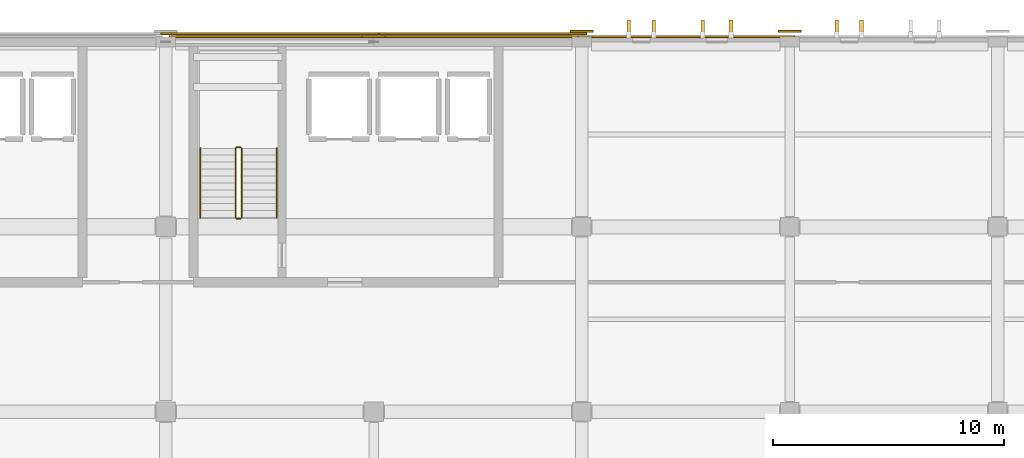
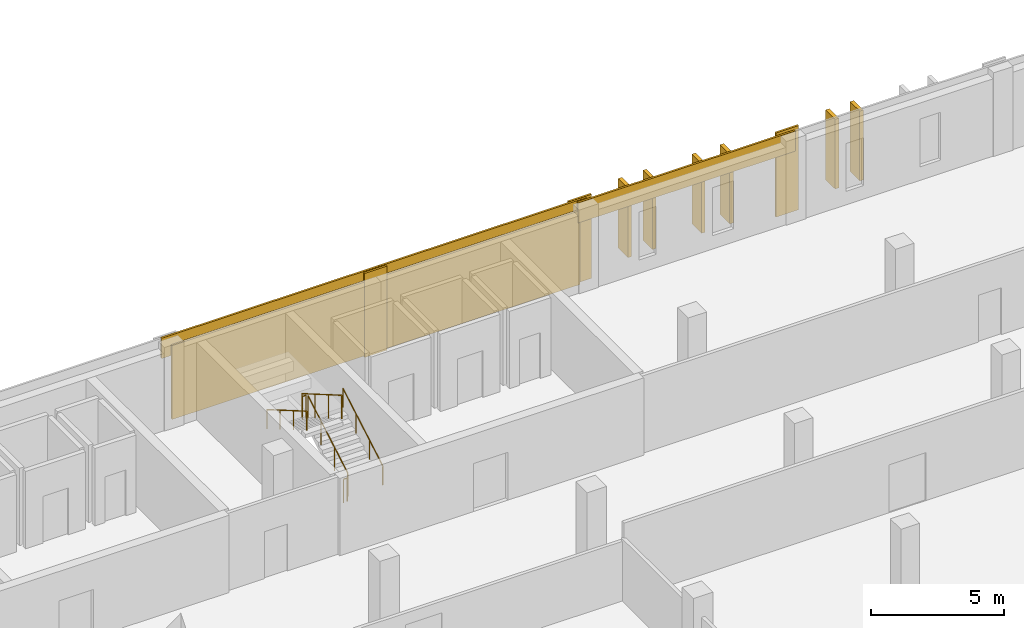
# One storey, part 82 of 85: 8 coverings, 6 railings, 6 shading devices.
"""IFC4 building model written with IfcOpenShell, lengths in metres."""

import ifcopenshell
import ifcopenshell.guid

model = None  # the IFC model being written
_history = None  # IfcOwnerHistory: only IFC2X3 demands one
_inside = {}  # id of a spatial element -> (the spatial element, [elements in it])
_under = {}  # id of a project, library or spatial element -> (it, [spatial elements below it])
_declared = {}  # id of a project -> (the project, [libraries it declares])
_typed = {}  # id of a type object -> (the type object, [elements of that type])
_made_of = {}  # id of a material, layer set ... -> (it, [elements and type objects made of it])


def new_model(schema):
    """Start an empty IFC model of exactly this schema.

    Asked for "IFC4X3", IfcOpenShell would pick the latest addendum, in which some entities
    have other attributes; the version numbers below select the first issue.
    IFC2X3 requires an IfcOwnerHistory on every rooted entity: one is made here for all.
    """
    global model, _history
    if schema == "IFC4X3":
        model = ifcopenshell.file(schema_version=(4, 3, 0, 0))
    else:
        model = ifcopenshell.file(schema=schema)
    _inside.clear()
    _under.clear()
    _declared.clear()
    _typed.clear()
    _made_of.clear()
    _history = None
    if model.schema == "IFC2X3":
        org = make("IfcOrganization", Name="unknown")
        user = make(
            "IfcPersonAndOrganization",
            ThePerson=make("IfcPerson", FamilyName="unknown"),
            TheOrganization=org,
        )
        app = make(
            "IfcApplication",
            ApplicationDeveloper=org,
            Version="unknown",
            ApplicationFullName="unknown",
            ApplicationIdentifier="unknown",
        )
        _history = make(
            "IfcOwnerHistory",
            OwningUser=user,
            OwningApplication=app,
            ChangeAction="ADDED",
            CreationDate=0,
        )
    return model


def make(cls, **values):
    """One entity of the class cls with the attributes given. An attribute that is None is left unset."""
    return model.create_entity(
        cls, **{name: value for name, value in values.items() if value is not None}
    )


def rooted(cls, **values):
    """An entity with a GlobalId (a new one), such as an element, a storey or a relation."""
    return make(cls, GlobalId=ifcopenshell.guid.new(), OwnerHistory=_history, **values)


def si_unit(unit_type, name, prefix=None):
    """IfcSIUnit, for example si_unit("LENGTHUNIT", "METRE", prefix="MILLI")."""
    return make("IfcSIUnit", UnitType=unit_type, Prefix=prefix, Name=name)


def assignment(units):
    """IfcUnitAssignment: the units of a project."""
    return None if units is None else make("IfcUnitAssignment", Units=units)


def point(xyz):
    """IfcCartesianPoint."""
    return None if xyz is None else make("IfcCartesianPoint", Coordinates=xyz)


def direction(xyz):
    """IfcDirection."""
    return None if xyz is None else make("IfcDirection", DirectionRatios=xyz)


def frame(location, z_axis=None, x_axis=None):
    """IfcAxis2Placement3D, a coordinate frame: its origin and axes. An axis left out is left unset."""
    return make(
        "IfcAxis2Placement3D",
        Location=point(location),
        Axis=direction(z_axis),
        RefDirection=direction(x_axis),
    )


def frame_2d(location, x_axis=None):
    """IfcAxis2Placement2D, a coordinate frame in the plane: its origin and x axis."""
    return make(
        "IfcAxis2Placement2D", Location=point(location), RefDirection=direction(x_axis)
    )


def origin():
    """The frame at (0, 0, 0) with its axes left unset."""
    return frame((0.0, 0.0, 0.0))


def origin_2d():
    """The frame at (0, 0) in the plane with its x axis left unset."""
    return frame_2d((0.0, 0.0))


def place(relative_to, where):
    """IfcLocalPlacement: puts the frame where relative to a parent placement (None: the world)."""
    return make(
        "IfcLocalPlacement", PlacementRelTo=relative_to, RelativePlacement=where
    )


def context(
    kind, dimensions, precision=None, world=None, true_north=None, identifier=None
):
    """IfcGeometricRepresentationContext, for example the 3D "Model" context."""
    return make(
        "IfcGeometricRepresentationContext",
        ContextIdentifier=identifier,
        ContextType=kind,
        CoordinateSpaceDimension=dimensions,
        Precision=precision,
        WorldCoordinateSystem=world,
        TrueNorth=true_north,
    )


def subcontext(parent, identifier, kind, view, scale=None):
    """IfcGeometricRepresentationSubContext, for example "Body" below "Model"."""
    return make(
        "IfcGeometricRepresentationSubContext",
        ContextIdentifier=identifier,
        ContextType=kind,
        ParentContext=parent,
        TargetScale=scale,
        TargetView=view,
    )


def project(units=None, contexts=None):
    """IfcProject with its units and contexts."""
    return rooted(
        "IfcProject",
        Name="project",
        RepresentationContexts=contexts,
        UnitsInContext=assignment(units),
    )


def spatial(cls, under=None, at=None, **own):
    """A site, building, storey or space (cls), placed at a placement, below another one or the project."""
    s = rooted(cls, ObjectPlacement=at, **own)
    if under is not None:
        _under.setdefault(under.id(), (under, []))[1].append(s)
    return s


def profile(cls, at=None, kind="AREA", **sizes):
    """A parametric profile (cls). Its sizes go by their IFC names, for example OverallWidth=200.0."""
    return make(cls, ProfileType=kind, Position=at, **sizes)


def rectangle(**sizes):
    """IfcRectangleProfileDef."""
    return profile("IfcRectangleProfileDef", **sizes)


def circle(**sizes):
    """IfcCircleProfileDef."""
    return profile("IfcCircleProfileDef", **sizes)


def extrude(swept, where, along, depth):
    """IfcExtrudedAreaSolid: the profile swept, set in the frame where, extruded along a direction by depth."""
    return make(
        "IfcExtrudedAreaSolid",
        SweptArea=swept,
        Position=where,
        ExtrudedDirection=direction(along),
        Depth=depth,
    )


def shape(context_of_items, identifier, shape_type, items):
    """IfcShapeRepresentation: the items that make up one representation, for example the "Body"."""
    return make(
        "IfcShapeRepresentation",
        ContextOfItems=context_of_items,
        RepresentationIdentifier=identifier,
        RepresentationType=shape_type,
        Items=items,
    )


def material(Name=None, Category=None):
    """IfcMaterial."""
    return make("IfcMaterial", Name=Name, Category=Category)


def layer(
    of_material, thickness, ventilated=None, Name=None, Category=None, Priority=None
):
    """IfcMaterialLayer: one layer of a wall or slab, of a material (None: an air gap)."""
    return make(
        "IfcMaterialLayer",
        Material=of_material,
        LayerThickness=thickness,
        IsVentilated=ventilated,
        Name=Name,
        Category=Category,
        Priority=Priority,
    )


def layer_set(layers, Name=None):
    """IfcMaterialLayerSet."""
    return make("IfcMaterialLayerSet", MaterialLayers=layers, LayerSetName=Name)


def made_of(thing, what):
    """Note that an element or type object is made of a material, layer set ...; save() writes the relation."""
    if what is not None:
        _made_of.setdefault(what.id(), (what, []))[1].append(thing)
    return thing


def type_object(cls, material=None, **own):
    """A type object (cls), such as IfcWallType, which elements share."""
    return made_of(rooted(cls, **own), material)


def element(
    cls,
    number,
    at=None,
    inside=None,
    cuts=None,
    type_object=None,
    material=None,
    context=None,
    identifier="Body",
    shape_type=None,
    held_by="IfcProductDefinitionShape",
    body=None,
    shapes=None,
    **own,
):
    """One element of the class cls, such as IfcWall. Its Tag is "e" and its number.

    at: its placement. inside: the storey or other place that contains it. cuts: it is an
    opening in that element (IfcRelVoidsElement). A single representation is given by context,
    identifier, shape_type and body (its items); several are given by shapes. held_by: the class
    of the entity that holds the representations. save() writes the other relations.
    """
    e = rooted(cls, Tag="e%d" % number, ObjectPlacement=at, **own)
    if body is not None:
        shapes = [shape(context, identifier, shape_type, body)]
    if shapes is not None:
        e.Representation = make(held_by, Representations=shapes)
    if inside is not None:
        _inside.setdefault(inside.id(), (inside, []))[1].append(e)
    if cuts is not None:
        rooted(
            "IfcRelVoidsElement", RelatingBuildingElement=cuts, RelatedOpeningElement=e
        )
    if type_object is not None:
        _typed.setdefault(type_object.id(), (type_object, []))[1].append(e)
    return made_of(e, material)


def aggregate(whole, parts):
    """IfcRelAggregates: a whole, such as a stair, and the parts it consists of."""
    return rooted("IfcRelAggregates", RelatingObject=whole, RelatedObjects=parts)


def save(model, path):
    """Write the relations noted so far, then the file.

    IfcRelAggregates (storeys below a building ...), IfcRelContainedInSpatialStructure (elements
    in a storey), IfcRelDefinesByType, IfcRelAssociatesMaterial and IfcRelDeclares: one each for
    every whole, place, type object, material and project.
    """
    for whole, parts in _under.values():
        aggregate(whole, parts)
    for where, things in _inside.values():
        rooted(
            "IfcRelContainedInSpatialStructure",
            RelatedElements=things,
            RelatingStructure=where,
        )
    for kind, things in _typed.values():
        rooted("IfcRelDefinesByType", RelatedObjects=things, RelatingType=kind)
    for what, things in _made_of.values():
        rooted("IfcRelAssociatesMaterial", RelatedObjects=things, RelatingMaterial=what)
    for by, libraries in _declared.values():
        rooted("IfcRelDeclares", RelatingContext=by, RelatedDefinitions=libraries)
    model.write(path)


model = new_model("IFC4")

# Units and contexts
model_context = context("Model", 3, precision=1e-05, world=origin(), true_north=direction((0.0, 1.0)))
body_context = subcontext(model_context, "Body", "Model", "MODEL_VIEW")
ifc_project = project(units=[si_unit("LENGTHUNIT", "METRE"), si_unit("AREAUNIT", "SQUARE_METRE"), si_unit("VOLUMEUNIT", "CUBIC_METRE"), si_unit("PLANEANGLEUNIT", "RADIAN"), si_unit("MASSUNIT", "GRAM", prefix="KILO")], contexts=[model_context])

# Site, building, storey
site_placement = place(None, origin())
site = spatial("IfcSite", under=ifc_project, at=site_placement, CompositionType="ELEMENT")
building_placement = place(site_placement, origin())
building = spatial("IfcBuilding", under=site, at=building_placement, Name="Vervanel Yard Central Library", CompositionType="ELEMENT")
storey_placement = place(building_placement, frame((0.0, 0.0, 5.10009765625)))
storey = spatial("IfcBuildingStorey", under=building, at=storey_placement, Name="L01", CompositionType="ELEMENT", Elevation=5.10009765625)

# Railings
ifc_material_1 = material(Name="Brushed stainless steel AISI 316", Category="steel")
railing_type_1 = type_object("IfcRailingType", Name="Brushed Stainless Stair Handrail 900", PredefinedType="HANDRAIL", material=ifc_material_1)
railing_1_placement = place(storey_placement, frame((67.800048828125, 106.39990234375, 0.174560546875)))
element("IfcRailing", 1, at=railing_1_placement, inside=storey, type_object=railing_type_1, Name="L01 ST-02 stair handrail 1", PredefinedType="HANDRAIL", context=body_context, shape_type="SweptSolid", body=[
    extrude(circle(Radius=0.02392578125, at=origin_2d()), frame((0.0, 0.0, 0.8759765625), z_axis=(0.0, 0.864360011887, 0.502873512775), x_axis=(-1.0, 0.0, 0.0)), (0.0, 0.0, 1.0), 3.470703125),
    extrude(circle(Radius=0.02099609375, at=origin_2d()), origin(), (0.0, 0.0, 1.0), 0.851806640625),
    extrude(circle(Radius=0.02099609375, at=origin_2d()), frame((0.0, 1.0, 0.581787109375)), (0.0, 0.0, 1.0), 0.851806640625),
    extrude(circle(Radius=0.02099609375, at=origin_2d()), frame((0.0, 2.0, 1.16357421875)), (0.0, 0.0, 1.0), 0.851806640625),
    extrude(circle(Radius=0.02099609375, at=origin_2d()), frame((0.0, 3.0, 1.745361328125)), (0.0, 0.0, 1.0), 0.851806640625),
])
railing_2_placement = place(storey_placement, frame((64.5, 109.39990234375, 2.094482421875)))
element("IfcRailing", 2, at=railing_2_placement, inside=storey, type_object=railing_type_1, Name="L01 ST-02 stair handrail 2", PredefinedType="HANDRAIL", context=body_context, shape_type="SweptSolid", body=[
    extrude(circle(Radius=0.02392578125, at=origin_2d()), frame((0.0, 0.0, 0.8759765625), z_axis=(0.0, -0.864360011887, 0.502873512775), x_axis=(1.0, 0.0, 0.0)), (0.0, 0.0, 1.0), 3.470703125),
    extrude(circle(Radius=0.02099609375, at=origin_2d()), origin(), (0.0, 0.0, 1.0), 0.851806640625),
    extrude(circle(Radius=0.02099609375, at=origin_2d()), frame((0.0, -1.0, 0.581787109375)), (0.0, 0.0, 1.0), 0.851806640625),
    extrude(circle(Radius=0.02099609375, at=origin_2d()), frame((0.0, -2.0, 1.16357421875)), (0.0, 0.0, 1.0), 0.851806640625),
    extrude(circle(Radius=0.02099609375, at=origin_2d()), frame((0.0, -3.0, 1.745361328125)), (0.0, 0.0, 1.0), 0.851806640625),
])

# Coverings
ifc_material_2 = material(Name="Precast concrete C45/55", Category="concrete")
ifc_layer = layer(ifc_material_2, 0.0849609375, Category="concrete")
ifc_layer_set = layer_set([ifc_layer], Name="Precast concrete C45/55")
covering_type = type_object("IfcCoveringType", Name="Bush-Hammered Precast Architectural Cladding Panel", PredefinedType="CLADDING", material=ifc_layer_set)
covering_1_placement = place(storey_placement, frame((67.5, 114.364990234375, 2.93017578125), z_axis=(0.0, 0.0, 1.0), x_axis=(1.0, 0.0, 0.0)))
element("IfcCovering", 3, at=covering_1_placement, inside=storey, type_object=covering_type, Name="L01 Precast Concrete Spandrel Cornice EWALL-L01-0022", PredefinedType="CLADDING", context=body_context, shape_type="SweptSolid", body=[
    extrude(rectangle(XDim=9.449951171875, YDim=0.0849609375, at=origin_2d()), origin(), (0.0, 0.0, 1.0), 0.929931640625),
])
covering_2_placement = place(storey_placement, frame((72.0, 114.232421875, 0.0), z_axis=(0.0, 0.0, 1.0), x_axis=(1.0, 0.0, 0.0)))
element("IfcCovering", 4, at=covering_2_placement, inside=storey, type_object=covering_type, Name="L01 Precast Concrete Pier Pilaster EWALL-L01-0022-B", PredefinedType="CLADDING", context=body_context, shape_type="SweptSolid", body=[
    extrude(rectangle(XDim=0.97998046875, YDim=0.0849609375, at=origin_2d()), origin(), (0.0, 0.0, 1.0), 3.860107421875),
])
covering_3_placement = place(storey_placement, frame((67.5, 114.232421875, 0.080078125), z_axis=(0.0, 0.0, 1.0), x_axis=(1.0, 0.0, 0.0)))
element("IfcCovering", 5, at=covering_3_placement, inside=storey, type_object=covering_type, Name="L01 Bush-Hammered Precast Cladding EWALL-L01-0022", PredefinedType="CLADDING", context=body_context, shape_type="SweptSolid", body=[
    extrude(rectangle(XDim=8.699951171875, YDim=0.0849609375, at=origin_2d()), origin(), (0.0, 0.0, 1.0), 3.389892578125),
])
covering_4_placement = place(storey_placement, frame((76.5, 114.364990234375, 2.93017578125), z_axis=(0.0, 0.0, 1.0), x_axis=(1.0, 0.0, 0.0)))
element("IfcCovering", 6, at=covering_4_placement, inside=storey, type_object=covering_type, Name="L01 Precast Concrete Spandrel Cornice EWALL-L01-0023", PredefinedType="CLADDING", context=body_context, shape_type="SweptSolid", body=[
    extrude(rectangle(XDim=9.449951171875, YDim=0.0849609375, at=origin_2d()), origin(), (0.0, 0.0, 1.0), 0.929931640625),
])
covering_5_placement = place(storey_placement, frame((81.0, 114.467529296875, 0.0), z_axis=(0.0, 0.0, 1.0), x_axis=(1.0, 0.0, 0.0)))
element("IfcCovering", 7, at=covering_5_placement, inside=storey, type_object=covering_type, Name="L01 Precast Concrete Pier Pilaster EWALL-L01-0023-B", PredefinedType="CLADDING", context=body_context, shape_type="SweptSolid", body=[
    extrude(rectangle(XDim=0.97998046875, YDim=0.0849609375, at=origin_2d()), origin(), (0.0, 0.0, 1.0), 3.860107421875),
])
covering_6_placement = place(storey_placement, frame((76.5, 114.232421875, 0.080078125), z_axis=(0.0, 0.0, 1.0), x_axis=(1.0, 0.0, 0.0)))
element("IfcCovering", 8, at=covering_6_placement, inside=storey, type_object=covering_type, Name="L01 Bush-Hammered Precast Cladding EWALL-L01-0023", PredefinedType="CLADDING", context=body_context, shape_type="SweptSolid", body=[
    extrude(rectangle(XDim=8.699951171875, YDim=0.0849609375, at=origin_2d()), origin(), (0.0, 0.0, 1.0), 3.389892578125),
])
covering_7_placement = place(storey_placement, frame((85.5, 114.22998046875, 2.93017578125), z_axis=(0.0, 0.0, 1.0), x_axis=(1.0, 0.0, 0.0)))
element("IfcCovering", 9, at=covering_7_placement, inside=storey, type_object=covering_type, Name="L01 Precast Concrete Spandrel Cornice EWALL-L01-0024", PredefinedType="CLADDING", context=body_context, shape_type="SweptSolid", body=[
    extrude(rectangle(XDim=9.449951171875, YDim=0.0849609375, at=origin_2d()), origin(), (0.0, 0.0, 1.0), 0.929931640625),
])
covering_8_placement = place(storey_placement, frame((90.0, 114.467529296875, 0.0), z_axis=(0.0, 0.0, 1.0), x_axis=(1.0, 0.0, 0.0)))
element("IfcCovering", 10, at=covering_8_placement, inside=storey, type_object=covering_type, Name="L01 Precast Concrete Pier Pilaster EWALL-L01-0024-B", PredefinedType="CLADDING", context=body_context, shape_type="SweptSolid", body=[
    extrude(rectangle(XDim=0.97998046875, YDim=0.0849609375, at=origin_2d()), origin(), (0.0, 0.0, 1.0), 3.860107421875),
])

# Railings
ifc_material_3 = material(Name="Galvanized painted steelwork ASTM A500 Grade C", Category="steel")
railing_type_2 = type_object("IfcRailingType", Name="Painted Steel Guardrail 1100", PredefinedType="GUARDRAIL", material=ifc_material_3)
railing_3_placement = place(storey_placement, frame((66.280029296875, 106.39990234375, 0.174560546875)))
element("IfcRailing", 11, at=railing_3_placement, inside=storey, type_object=railing_type_2, Name="L01 ST-02 stair guard 1", PredefinedType="GUARDRAIL", context=body_context, shape_type="SweptSolid", body=[
    extrude(circle(Radius=0.02392578125, at=origin_2d()), frame((0.0, 0.0, 1.076171875), z_axis=(0.0, 0.864360011887, 0.502873512775), x_axis=(-1.0, 0.0, 0.0)), (0.0, 0.0, 1.0), 3.470703125),
    extrude(circle(Radius=0.02099609375, at=origin_2d()), origin(), (0.0, 0.0, 1.0), 1.052001953125),
    extrude(circle(Radius=0.02099609375, at=origin_2d()), frame((0.0, 1.0, 0.581787109375)), (0.0, 0.0, 1.0), 1.052001953125),
    extrude(circle(Radius=0.02099609375, at=origin_2d()), frame((0.0, 2.0, 1.16357421875)), (0.0, 0.0, 1.0), 1.052001953125),
    extrude(circle(Radius=0.02099609375, at=origin_2d()), frame((0.0, 3.0, 1.745361328125)), (0.0, 0.0, 1.0), 1.052001953125),
])
railing_4_placement = place(storey_placement, frame((66.22998046875, 109.449951171875, 1.919921875)))
element("IfcRailing", 12, at=railing_4_placement, inside=storey, type_object=railing_type_2, Name="L01 ST-02 stair guard 2", PredefinedType="GUARDRAIL", context=body_context, shape_type="SweptSolid", body=[
    extrude(circle(Radius=0.02392578125, at=origin_2d()), frame((0.0, 0.0, 1.076171875), z_axis=(-1.0, 0.0, 0.0), x_axis=(0.0, -1.0, 0.0)), (0.0, 0.0, 1.0), 0.159912109375),
    extrude(circle(Radius=0.02099609375, at=origin_2d()), origin(), (0.0, 0.0, 1.0), 1.052001953125),
    extrude(circle(Radius=0.02099609375, at=origin_2d()), frame((-0.159912109375, 0.0, 0.0)), (0.0, 0.0, 1.0), 1.052001953125),
])
railing_5_placement = place(storey_placement, frame((66.02001953125, 109.39990234375, 2.094482421875)))
element("IfcRailing", 13, at=railing_5_placement, inside=storey, type_object=railing_type_2, Name="L01 ST-02 stair guard 3", PredefinedType="GUARDRAIL", context=body_context, shape_type="SweptSolid", body=[
    extrude(circle(Radius=0.02392578125, at=origin_2d()), frame((0.0, 0.0, 1.076171875), z_axis=(0.0, -0.864360011887, 0.502873512775), x_axis=(1.0, 0.0, 0.0)), (0.0, 0.0, 1.0), 3.470703125),
    extrude(circle(Radius=0.02099609375, at=origin_2d()), origin(), (0.0, 0.0, 1.0), 1.052001953125),
    extrude(circle(Radius=0.02099609375, at=origin_2d()), frame((0.0, -1.0, 0.581787109375)), (0.0, 0.0, 1.0), 1.052001953125),
    extrude(circle(Radius=0.02099609375, at=origin_2d()), frame((0.0, -2.0, 1.16357421875)), (0.0, 0.0, 1.0), 1.052001953125),
    extrude(circle(Radius=0.02099609375, at=origin_2d()), frame((0.0, -3.0, 1.745361328125)), (0.0, 0.0, 1.0), 1.052001953125),
])
railing_6_placement = place(storey_placement, frame((66.22998046875, 106.35009765625, 0.0)))
element("IfcRailing", 14, at=railing_6_placement, inside=storey, type_object=railing_type_2, Name="L01 ST-02 stair guard 4", PredefinedType="GUARDRAIL", context=body_context, shape_type="SweptSolid", body=[
    extrude(circle(Radius=0.02392578125, at=origin_2d()), frame((0.0, 0.0, 1.076171875), z_axis=(-1.0, 0.0, 0.0), x_axis=(0.0, -1.0, 0.0)), (0.0, 0.0, 1.0), 0.159912109375),
    extrude(circle(Radius=0.02099609375, at=origin_2d()), origin(), (0.0, 0.0, 1.0), 1.052001953125),
    extrude(circle(Radius=0.02099609375, at=origin_2d()), frame((-0.159912109375, 0.0, 0.0)), (0.0, 0.0, 1.0), 1.052001953125),
])

# Shading devices
shading_device_type = type_object("IfcShadingDeviceType", Name="Vertical Precast Solar Fin 160x720x3200", PredefinedType="JALOUSIE", material=ifc_material_2)
for number, where, z_axis, x_axis, name in (
    (15, (83.0400390625, 114.590087890625, 0.5498046875), (0.0, 0.0, 1.0), (1.0, 0.0, 0.0), "L01 Precast Solar Fin 59"),
    (16, (84.110107421875, 114.590087890625, 0.5498046875), (0.0, 0.0, 1.0), (1.0, 0.0, 0.0), "L01 Precast Solar Fin 60"),
    (17, (86.239990234375, 114.590087890625, 0.5498046875), (0.0, 0.0, 1.0), (1.0, 0.0, 0.0), "L01 Precast Solar Fin 61"),
    (18, (87.4599609375, 114.590087890625, 0.5498046875), (0.0, 0.0, 1.0), (1.0, 0.0, 0.0), "L01 Precast Solar Fin 62"),
    (19, (92.0400390625, 114.590087890625, 0.5498046875), (0.0, 0.0, 1.0), (1.0, 0.0, 0.0), "L01 Precast Solar Fin 63"),
    (20, (93.110107421875, 114.590087890625, 0.5498046875), (0.0, 0.0, 1.0), (1.0, 0.0, 0.0), "L01 Precast Solar Fin 64"),
):
    element("IfcShadingDevice", number, at=place(storey_placement, frame(where, z_axis=z_axis, x_axis=x_axis)), inside=storey, type_object=shading_device_type, Name=name, PredefinedType="JALOUSIE", context=body_context, shape_type="SweptSolid", body=[
        extrude(rectangle(XDim=0.159912109375, YDim=0.719970703125, at=origin_2d()), origin(), (0.0, 0.0, 1.0), 3.199951171875),
    ])

save(model, "model.ifc")
